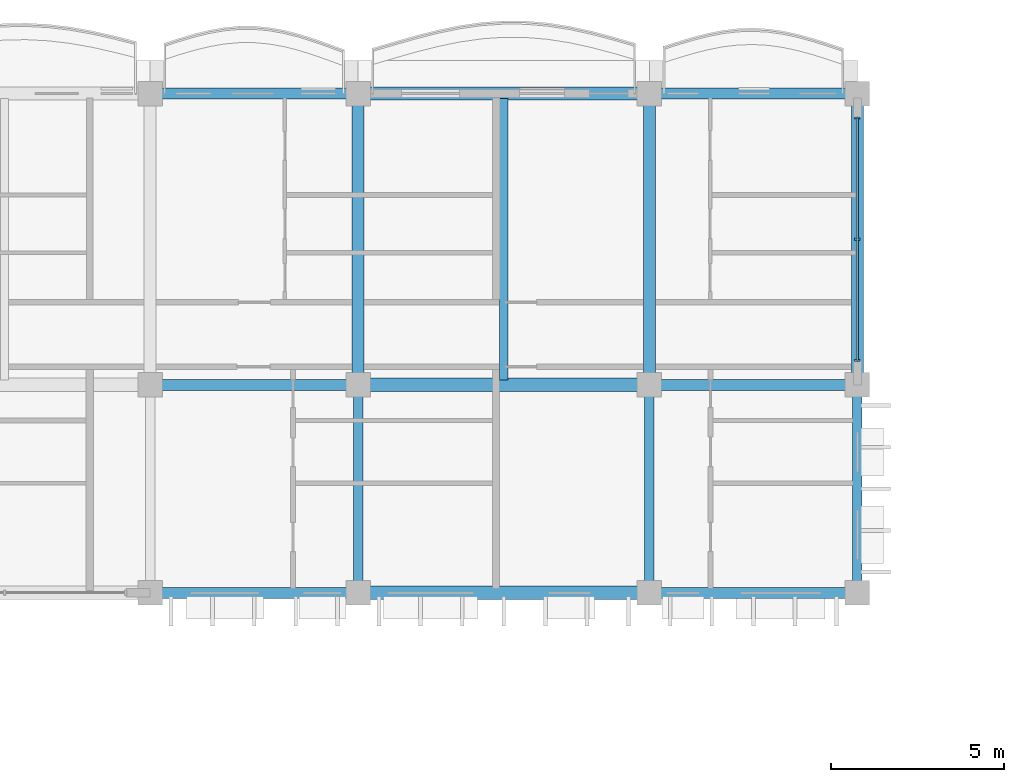
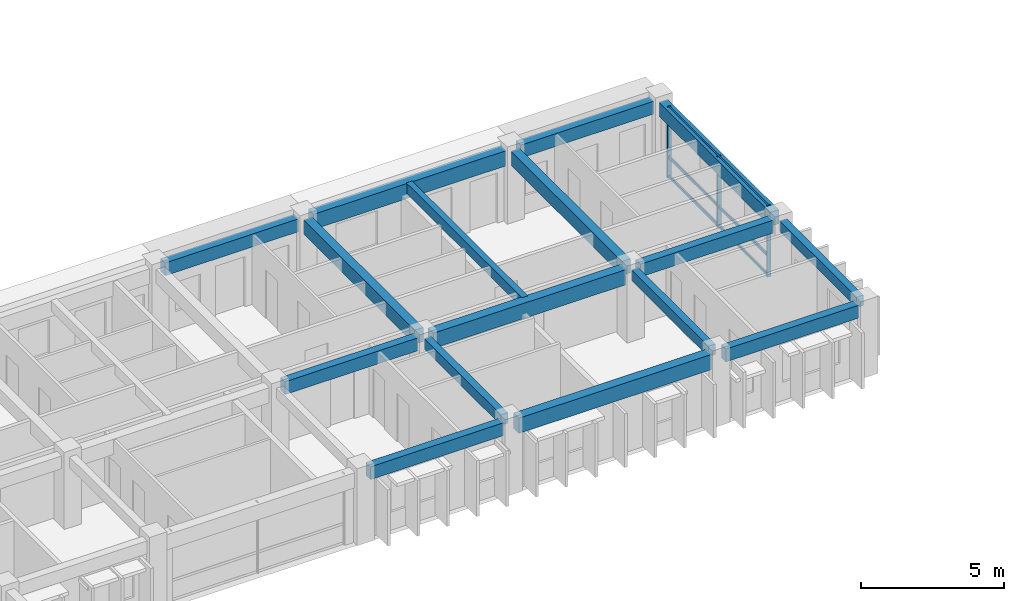
# One storey, part 12 of 79: 16 beams, 6 members, 1 element without a shape of its own.
"""IFC4 building model written with IfcOpenShell, lengths in metres."""

from ifc_helpers import new_model, si_unit, direction, frame, origin, origin_2d, place, context, subcontext, project, spatial, rectangle, extrude, material, material_profile, profile_set, type_object, element, aggregate, save


model = new_model("IFC4")

# Units and contexts
model_context = context("Model", 3, precision=1e-05, world=origin(), true_north=direction((0.0, 1.0)))
body_context = subcontext(model_context, "Body", "Model", "MODEL_VIEW")
ifc_project = project(units=[si_unit("LENGTHUNIT", "METRE"), si_unit("AREAUNIT", "SQUARE_METRE"), si_unit("VOLUMEUNIT", "CUBIC_METRE"), si_unit("PLANEANGLEUNIT", "RADIAN"), si_unit("MASSUNIT", "GRAM", prefix="KILO"), si_unit("THERMODYNAMICTEMPERATUREUNIT", "KELVIN")], contexts=[model_context])

# Site, building, storey
site_placement = place(None, origin())
site = spatial("IfcSite", under=ifc_project, at=site_placement, CompositionType="ELEMENT")
building_placement = place(site_placement, origin())
building = spatial("IfcBuilding", under=site, at=building_placement, Name="Thalorik Housing Commons", CompositionType="ELEMENT")
storey_placement = place(building_placement, frame((0.0, 0.0, 11.39990234375)))
storey = spatial("IfcBuildingStorey", under=building, at=storey_placement, Name="L03", CompositionType="ELEMENT", Elevation=11.39990234375)

# Curtain wall, members
ifc_material_1 = material(Name="Anodised aluminium and solar-control low-E glass", Category="aluminium")
curtain_wall_type = type_object("IfcCurtainWallType", Name="ARC-CW-LOUNGE", PredefinedType="USERDEFINED", material=ifc_material_1)
curtain_wall_placement = place(storey_placement, origin())
curtain_wall = element("IfcCurtainWall", 1, at=curtain_wall_placement, inside=storey, type_object=curtain_wall_type, Name="L03 Curtain Wall CW-RES-L03-A-012", ObjectType="CURTAIN WALL", PredefinedType="USERDEFINED")
ifc_material_2 = material(Name="Anodised aluminium 6063-T6", Category="aluminium")
ifc_material_profile_1 = material_profile(ifc_material_2, rectangle(XDim=0.06005859375, YDim=0.159912109375, at=origin_2d()), Name="ALU MUL 60x160", Category="aluminium")
ifc_profile_set_1 = profile_set([ifc_material_profile_1], Name="Anodised aluminium 6063-T6")
member_type_1 = type_object("IfcMemberType", Name="ARC-CW-MUL-60x160", PredefinedType="MULLION", material=ifc_profile_set_1)
member_1_placement = place(storey_placement, frame((57.60009765625, 115.89990234375, 0.0), z_axis=(0.0, 0.0, 1.0), x_axis=(0.0, 1.0, 0.0)))
member_1 = element("IfcMember", 2, at=member_1_placement, type_object=member_type_1, Name="CW-RES-L03-A-012 Mullion 1", PredefinedType="MULLION", context=body_context, shape_type="SweptSolid", body=[
    extrude(rectangle(XDim=0.06005859375, YDim=0.159912109375, at=origin_2d()), origin(), (0.0, 0.0, 1.0), 3.0400390625),
])
member_2_placement = place(storey_placement, frame((57.60009765625, 119.39990234375, 0.0), z_axis=(0.0, 0.0, 1.0), x_axis=(0.0, 1.0, 0.0)))
member_2 = element("IfcMember", 3, at=member_2_placement, type_object=member_type_1, Name="CW-RES-L03-A-012 Mullion 2", PredefinedType="MULLION", context=body_context, shape_type="SweptSolid", body=[
    extrude(rectangle(XDim=0.06005859375, YDim=0.159912109375, at=origin_2d()), origin(), (0.0, 0.0, 1.0), 3.0400390625),
])
member_3_placement = place(storey_placement, frame((57.60009765625, 122.89990234375, 0.0), z_axis=(0.0, 0.0, 1.0), x_axis=(0.0, 1.0, 0.0)))
member_3 = element("IfcMember", 4, at=member_3_placement, type_object=member_type_1, Name="CW-RES-L03-A-012 Mullion 3", PredefinedType="MULLION", context=body_context, shape_type="SweptSolid", body=[
    extrude(rectangle(XDim=0.06005859375, YDim=0.159912109375, at=origin_2d()), origin(), (0.0, 0.0, 1.0), 3.0400390625),
])
ifc_material_profile_2 = material_profile(ifc_material_2, rectangle(XDim=0.06005859375, YDim=0.1201171875, at=origin_2d()), Name="ALU TRN 60x120", Category="aluminium")
ifc_profile_set_2 = profile_set([ifc_material_profile_2], Name="Anodised aluminium 6063-T6")
member_type_2 = type_object("IfcMemberType", Name="ARC-CW-TRN-60x120", PredefinedType="USERDEFINED", material=ifc_profile_set_2)
member_4_placement = place(storey_placement, frame((57.60009765625, 115.89990234375, 0.05517578125), z_axis=(0.0, 1.0, 0.0), x_axis=(-1.0, 0.0, 0.0)))
member_4 = element("IfcMember", 5, at=member_4_placement, type_object=member_type_2, Name="CW-RES-L03-A-012 Transom 1", ObjectType="TRANSOM", PredefinedType="USERDEFINED", context=body_context, shape_type="SweptSolid", body=[
    extrude(rectangle(XDim=0.06005859375, YDim=0.1201171875, at=origin_2d()), origin(), (0.0, 0.0, 1.0), 7.0),
])
member_5_placement = place(storey_placement, frame((57.60009765625, 115.89990234375, 0.880126953125), z_axis=(0.0, 1.0, 0.0), x_axis=(-1.0, 0.0, 0.0)))
member_5 = element("IfcMember", 6, at=member_5_placement, type_object=member_type_2, Name="CW-RES-L03-A-012 Transom 2", ObjectType="TRANSOM", PredefinedType="USERDEFINED", context=body_context, shape_type="SweptSolid", body=[
    extrude(rectangle(XDim=0.06005859375, YDim=0.1201171875, at=origin_2d()), origin(), (0.0, 0.0, 1.0), 7.0),
])
member_6_placement = place(storey_placement, frame((57.60009765625, 115.89990234375, 2.985107421875), z_axis=(0.0, 1.0, 0.0), x_axis=(-1.0, 0.0, 0.0)))
member_6 = element("IfcMember", 7, at=member_6_placement, type_object=member_type_2, Name="CW-RES-L03-A-012 Transom 3", ObjectType="TRANSOM", PredefinedType="USERDEFINED", context=body_context, shape_type="SweptSolid", body=[
    extrude(rectangle(XDim=0.06005859375, YDim=0.1201171875, at=origin_2d()), origin(), (0.0, 0.0, 1.0), 7.0),
])
aggregate(curtain_wall, [member_1, member_2, member_3, member_4, member_5, member_6])

# Beams
ifc_material_3 = material(Name="Precast concrete C40/50", Category="concrete")
ifc_material_profile_3 = material_profile(ifc_material_3, rectangle(XDim=0.280029296875, YDim=0.449951171875, at=origin_2d()), Name="PC 280x450", Category="concrete")
ifc_profile_set_3 = profile_set([ifc_material_profile_3], Name="Precast concrete C40/50")
beam_type_1 = type_object("IfcBeamType", Name="STR-BM-PC280x450", PredefinedType="BEAM", material=ifc_profile_set_3)
for number, where, z_axis, x_axis, name in (
    (8, (43.199951171875, 109.5, 2.815185546875), (0.0, 1.0, 0.0), (-1.0, 0.0, 0.0), "L03 Beam B-450"),
    (9, (51.60009765625, 109.5, 2.815185546875), (0.0, 1.0, 0.0), (-1.0, 0.0, 0.0), "L03 Beam B-450"),
    (10, (57.60009765625, 109.5, 2.815185546875), (0.0, 1.0, 0.0), (-1.0, 0.0, 0.0), "L03 Beam B-450"),
):
    element("IfcBeam", number, at=place(storey_placement, frame(where, z_axis=z_axis, x_axis=x_axis)), inside=storey, type_object=beam_type_1, Name=name, PredefinedType="BEAM", context=body_context, shape_type="SweptSolid", body=[
        extrude(rectangle(XDim=0.280029296875, YDim=0.449951171875, at=origin_2d()), origin(), (0.0, 0.0, 1.0), 5.39990234375),
    ])
ifc_material_profile_4 = material_profile(ifc_material_3, rectangle(XDim=0.320068359375, YDim=0.550048828125, at=origin_2d()), Name="PC 320x550", Category="concrete")
ifc_profile_set_4 = profile_set([ifc_material_profile_4], Name="Precast concrete C40/50")
beam_type_2 = type_object("IfcBeamType", Name="STR-BM-PC320x550", PredefinedType="BEAM", material=ifc_profile_set_4)
beam_1_placement = place(storey_placement, frame((37.5, 109.199951171875, 2.76513671875), z_axis=(1.0, 0.0, 0.0), x_axis=(0.0, 1.0, 0.0)))
element("IfcBeam", 11, at=beam_1_placement, inside=storey, type_object=beam_type_2, Name="L03 Beam B-550", PredefinedType="BEAM", context=body_context, shape_type="SweptSolid", body=[
    extrude(rectangle(XDim=0.320068359375, YDim=0.550048828125, at=origin_2d()), origin(), (0.0, 0.0, 1.0), 5.39990234375),
])
beam_2_placement = place(storey_placement, frame((51.89990234375, 109.199951171875, 2.76513671875), z_axis=(1.0, 0.0, 0.0), x_axis=(0.0, 1.0, 0.0)))
element("IfcBeam", 12, at=beam_2_placement, inside=storey, type_object=beam_type_2, Name="L03 Beam B-550", PredefinedType="BEAM", context=body_context, shape_type="SweptSolid", body=[
    extrude(rectangle(XDim=0.320068359375, YDim=0.550048828125, at=origin_2d()), origin(), (0.0, 0.0, 1.0), 5.400146484375),
])
beam_3_placement = place(storey_placement, frame((37.5, 115.199951171875, 2.76513671875), z_axis=(1.0, 0.0, 0.0), x_axis=(0.0, 1.0, 0.0)))
element("IfcBeam", 13, at=beam_3_placement, inside=storey, type_object=beam_type_2, Name="L03 Beam B-550", PredefinedType="BEAM", context=body_context, shape_type="SweptSolid", body=[
    extrude(rectangle(XDim=0.320068359375, YDim=0.550048828125, at=origin_2d()), origin(), (0.0, 0.0, 1.0), 5.39990234375),
])
beam_4_placement = place(storey_placement, frame((51.89990234375, 115.199951171875, 2.76513671875), z_axis=(1.0, 0.0, 0.0), x_axis=(0.0, 1.0, 0.0)))
element("IfcBeam", 14, at=beam_4_placement, inside=storey, type_object=beam_type_2, Name="L03 Beam B-550", PredefinedType="BEAM", context=body_context, shape_type="SweptSolid", body=[
    extrude(rectangle(XDim=0.320068359375, YDim=0.550048828125, at=origin_2d()), origin(), (0.0, 0.0, 1.0), 5.400146484375),
])
beam_5_placement = place(storey_placement, frame((37.5, 123.60009765625, 2.76513671875), z_axis=(1.0, 0.0, 0.0), x_axis=(0.0, 1.0, 0.0)))
element("IfcBeam", 15, at=beam_5_placement, inside=storey, type_object=beam_type_2, Name="L03 Beam B-550", PredefinedType="BEAM", context=body_context, shape_type="SweptSolid", body=[
    extrude(rectangle(XDim=0.320068359375, YDim=0.550048828125, at=origin_2d()), origin(), (0.0, 0.0, 1.0), 5.39990234375),
])
beam_6_placement = place(storey_placement, frame((51.89990234375, 123.60009765625, 2.76513671875), z_axis=(1.0, 0.0, 0.0), x_axis=(0.0, 1.0, 0.0)))
element("IfcBeam", 16, at=beam_6_placement, inside=storey, type_object=beam_type_2, Name="L03 Beam B-550", PredefinedType="BEAM", context=body_context, shape_type="SweptSolid", body=[
    extrude(rectangle(XDim=0.320068359375, YDim=0.550048828125, at=origin_2d()), origin(), (0.0, 0.0, 1.0), 5.400146484375),
])
ifc_material_profile_5 = material_profile(ifc_material_3, rectangle(XDim=0.35009765625, YDim=0.60009765625, at=origin_2d()), Name="PC 350x600", Category="concrete")
ifc_profile_set_5 = profile_set([ifc_material_profile_5], Name="Precast concrete C40/50")
beam_type_3 = type_object("IfcBeamType", Name="STR-BM-PC350x600", PredefinedType="BEAM", material=ifc_profile_set_5)
for number, where, z_axis, x_axis, name in (
    (17, (43.199951171875, 115.5, 2.739990234375), (0.0, 1.0, 0.0), (-1.0, 0.0, 0.0), "L03 Beam B-600"),
    (18, (51.60009765625, 115.5, 2.739990234375), (0.0, 1.0, 0.0), (-1.0, 0.0, 0.0), "L03 Beam B-600"),
    (19, (57.60009765625, 115.5, 2.739990234375), (0.0, 1.0, 0.0), (-1.0, 0.0, 0.0), "L03 Beam B-600"),
):
    element("IfcBeam", number, at=place(storey_placement, frame(where, z_axis=z_axis, x_axis=x_axis)), inside=storey, type_object=beam_type_3, Name=name, PredefinedType="BEAM", context=body_context, shape_type="SweptSolid", body=[
        extrude(rectangle(XDim=0.35009765625, YDim=0.60009765625, at=origin_2d()), origin(), (0.0, 0.0, 1.0), 7.800048828125),
    ])
ifc_material_profile_6 = material_profile(ifc_material_3, rectangle(XDim=0.3798828125, YDim=0.64990234375, at=origin_2d()), Name="PC 380x650", Category="concrete")
ifc_profile_set_6 = profile_set([ifc_material_profile_6], Name="Precast concrete C40/50")
beam_type_4 = type_object("IfcBeamType", Name="STR-BM-PC380x650", PredefinedType="BEAM", material=ifc_profile_set_6)
for number, where, z_axis, x_axis, name in (
    (20, (43.5, 109.199951171875, 2.715087890625), (1.0, 0.0, 0.0), (0.0, 1.0, 0.0), "L03 Beam B-650"),
    (21, (43.5, 115.199951171875, 2.715087890625), (1.0, 0.0, 0.0), (0.0, 1.0, 0.0), "L03 Beam B-650"),
    (22, (43.5, 123.60009765625, 2.715087890625), (1.0, 0.0, 0.0), (0.0, 1.0, 0.0), "L03 Beam B-650"),
):
    element("IfcBeam", number, at=place(storey_placement, frame(where, z_axis=z_axis, x_axis=x_axis)), inside=storey, type_object=beam_type_4, Name=name, PredefinedType="BEAM", context=body_context, shape_type="SweptSolid", body=[
        extrude(rectangle(XDim=0.3798828125, YDim=0.64990234375, at=origin_2d()), origin(), (0.0, 0.0, 1.0), 7.800048828125),
    ])
ifc_material_profile_7 = material_profile(ifc_material_3, rectangle(XDim=0.239990234375, YDim=0.43994140625, at=origin_2d()), Name="PC JST 240x440", Category="concrete")
ifc_profile_set_7 = profile_set([ifc_material_profile_7], Name="Precast concrete C40/50")
beam_type_5 = type_object("IfcBeamType", Name="STR-JST-PC240x440", PredefinedType="JOIST", material=ifc_profile_set_7)
beam_7_placement = place(storey_placement, frame((47.39990234375, 115.340087890625, 2.820068359375), z_axis=(0.0, 1.0, 0.0), x_axis=(-1.0, 0.0, 0.0)))
element("IfcBeam", 23, at=beam_7_placement, inside=storey, type_object=beam_type_5, Name="L03 Beam J-440", PredefinedType="JOIST", context=body_context, shape_type="SweptSolid", body=[
    extrude(rectangle(XDim=0.239990234375, YDim=0.43994140625, at=origin_2d()), origin(), (0.0, 0.0, 1.0), 8.119873046875),
])

save(model, "model.ifc")
